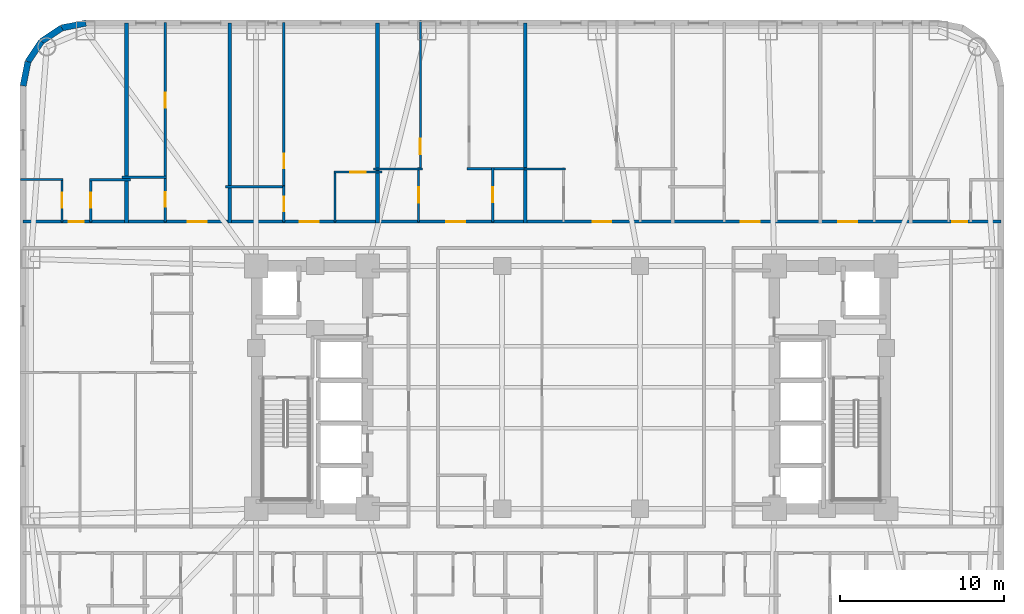
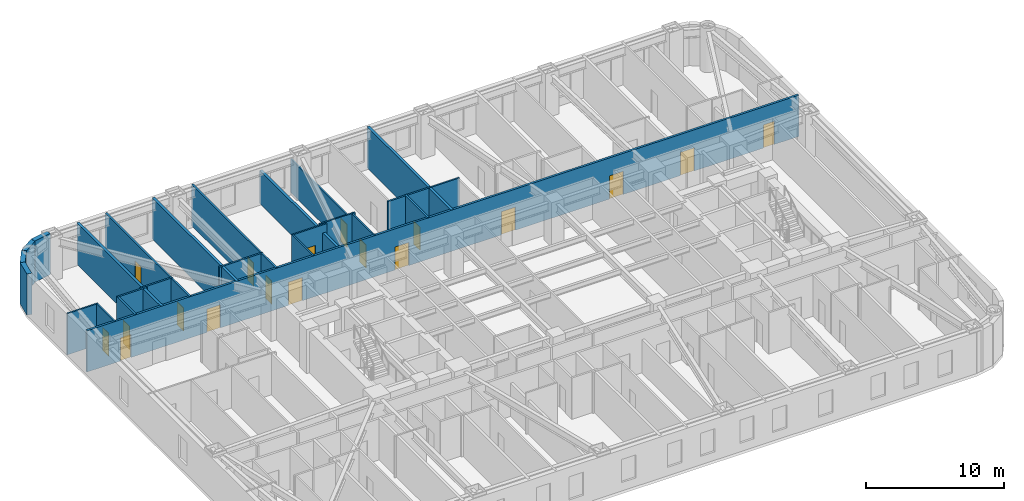
# One storey, part 7 of 11: 27 walls, 18 doors, 18 openings.
"""IFC4 building model written with IfcOpenShell, lengths in metres."""

from ifc_helpers import new_model, si_unit, direction, frame, frame_2d, origin, place, context, subcontext, project, spatial, rectangle, extrude, material, layer, layer_set, type_object, element, fill, save


model = new_model("IFC4")

# Units and contexts
model_context = context("Model", 3, precision=1e-05, world=origin(), true_north=direction((0.0, 1.0)))
body_context = subcontext(model_context, "Body", "Model", "MODEL_VIEW")
ifc_project = project(units=[si_unit("LENGTHUNIT", "METRE"), si_unit("AREAUNIT", "SQUARE_METRE"), si_unit("VOLUMEUNIT", "CUBIC_METRE"), si_unit("PLANEANGLEUNIT", "RADIAN"), si_unit("MASSUNIT", "GRAM", prefix="KILO")], contexts=[model_context])

# Site, building, storey
site_placement = place(None, origin())
site = spatial("IfcSite", under=ifc_project, at=site_placement, CompositionType="ELEMENT")
building_placement = place(site_placement, origin())
building = spatial("IfcBuilding", under=site, at=building_placement, Name="Voryun Gate Residences", CompositionType="ELEMENT")
storey_placement = place(building_placement, frame((0.0, 0.0, 33.800048828125)))
storey = spatial("IfcBuildingStorey", under=building, at=storey_placement, Name="L07", CompositionType="ELEMENT", Elevation=33.800048828125)

# Wall, openings, doors
ifc_material_1 = material(Name="Gypsum acoustic fireboard")
ifc_layer_1 = layer(ifc_material_1, 0.179931640625, Name="W_CORR_RATED_180")
ifc_layer_set_1 = layer_set([ifc_layer_1], Name="Gypsum acoustic fireboard")
wall_type_1 = type_object("IfcWallType", Name="W_CORR_RATED_180", PredefinedType="PARTITIONING", material=ifc_layer_set_1)
wall_1_placement = place(storey_placement, frame((-33.409912109375, 10.10009765625, 0.0), z_axis=(0.0, 0.0, 1.0), x_axis=(1.0, 0.0, 0.0)))
wall_1 = element("IfcWall", 1, at=wall_1_placement, inside=storey, type_object=wall_type_1, Name="Partition wall WP-L07-NCORR", PredefinedType="PARTITIONING", context=body_context, shape_type="SweptSolid", body=[
    extrude(rectangle(XDim=59.619873046875, YDim=0.179931640625, at=frame_2d((29.81005859375, 0.0))), origin(), (0.0, 0.0, 1.0), 3.64990234375),
])
opening_1_placement = place(wall_1_placement, frame((2.793212890625, 0.0, 0.0)))
opening_1 = element("IfcOpeningElement", 2, at=opening_1_placement, cuts=wall_1, Name="Opening D-INT-2", PredefinedType="OPENING", context=body_context, shape_type="SweptSolid", body=[
    extrude(rectangle(XDim=0.89990234375, YDim=2.050048828125, at=frame_2d((0.449951171875, 1.02490234375))), frame((0.0, 0.099853515625, 0.0), z_axis=(0.0, -1.0, 0.0), x_axis=(1.0, 0.0, 0.0)), (0.0, 0.0, 1.0), 0.199951171875),
])
opening_2_placement = place(wall_1_placement, frame((10.037353515625, 0.0, 0.0)))
opening_2 = element("IfcOpeningElement", 3, at=opening_2_placement, cuts=wall_1, Name="Opening D-UNIT-1", PredefinedType="OPENING", context=body_context, shape_type="SweptSolid", body=[
    extrude(rectangle(XDim=1.14990234375, YDim=2.050048828125, at=frame_2d((0.574951171875, 1.02490234375))), frame((0.0, 0.099853515625, 0.0), z_axis=(0.0, -1.0, 0.0), x_axis=(1.0, 0.0, 0.0)), (0.0, 0.0, 1.0), 0.199951171875),
])
opening_3_placement = place(wall_1_placement, frame((16.881591796875, 0.0, 0.0)))
opening_3 = element("IfcOpeningElement", 4, at=opening_3_placement, cuts=wall_1, Name="Opening D-UNIT-1", PredefinedType="OPENING", context=body_context, shape_type="SweptSolid", body=[
    extrude(rectangle(XDim=1.14990234375, YDim=2.050048828125, at=frame_2d((0.574951171875, 1.02490234375))), frame((0.0, 0.099853515625, 0.0), z_axis=(0.0, -1.0, 0.0), x_axis=(1.0, 0.0, 0.0)), (0.0, 0.0, 1.0), 0.199951171875),
])
opening_4_placement = place(wall_1_placement, frame((25.80078125, 0.0, 0.0)))
opening_4 = element("IfcOpeningElement", 5, at=opening_4_placement, cuts=wall_1, Name="Opening D-UNIT-1", PredefinedType="OPENING", context=body_context, shape_type="SweptSolid", body=[
    extrude(rectangle(XDim=1.14990234375, YDim=2.050048828125, at=frame_2d((0.574951171875, 1.02490234375))), frame((0.0, 0.099853515625, 0.0), z_axis=(0.0, -1.0, 0.0), x_axis=(1.0, 0.0, 0.0)), (0.0, 0.0, 1.0), 0.199951171875),
])
opening_5_placement = place(wall_1_placement, frame((34.719970703125, 0.0, 0.0)))
opening_5 = element("IfcOpeningElement", 6, at=opening_5_placement, cuts=wall_1, Name="Opening D-UNIT-1", PredefinedType="OPENING", context=body_context, shape_type="SweptSolid", body=[
    extrude(rectangle(XDim=1.14990234375, YDim=2.050048828125, at=frame_2d((0.574951171875, 1.02490234375))), frame((0.0, 0.099853515625, 0.0), z_axis=(0.0, -1.0, 0.0), x_axis=(1.0, 0.0, 0.0)), (0.0, 0.0, 1.0), 0.199951171875),
])
opening_6_placement = place(wall_1_placement, frame((43.7705078125, 0.0, 0.0)))
opening_6 = element("IfcOpeningElement", 7, at=opening_6_placement, cuts=wall_1, Name="Opening D-UNIT-1", PredefinedType="OPENING", context=body_context, shape_type="SweptSolid", body=[
    extrude(rectangle(XDim=1.14990234375, YDim=2.050048828125, at=frame_2d((0.574951171875, 1.02490234375))), frame((0.0, 0.099853515625, 0.0), z_axis=(0.0, -1.0, 0.0), x_axis=(1.0, 0.0, 0.0)), (0.0, 0.0, 1.0), 0.199951171875),
])
opening_7_placement = place(wall_1_placement, frame((49.714599609375, 0.0, 0.0)))
opening_7 = element("IfcOpeningElement", 8, at=opening_7_placement, cuts=wall_1, Name="Opening D-UNIT-1", PredefinedType="OPENING", context=body_context, shape_type="SweptSolid", body=[
    extrude(rectangle(XDim=1.14990234375, YDim=2.050048828125, at=frame_2d((0.574951171875, 1.02490234375))), frame((0.0, 0.099853515625, 0.0), z_axis=(0.0, -1.0, 0.0), x_axis=(1.0, 0.0, 0.0)), (0.0, 0.0, 1.0), 0.199951171875),
])
opening_8_placement = place(wall_1_placement, frame((56.654052734375, 0.0, 0.0)))
opening_8 = element("IfcOpeningElement", 9, at=opening_8_placement, cuts=wall_1, Name="Opening D-INT-2", PredefinedType="OPENING", context=body_context, shape_type="SweptSolid", body=[
    extrude(rectangle(XDim=0.89990234375, YDim=2.050048828125, at=frame_2d((0.449951171875, 1.02490234375))), frame((0.0, 0.099853515625, 0.0), z_axis=(0.0, -1.0, 0.0), x_axis=(1.0, 0.0, 0.0)), (0.0, 0.0, 1.0), 0.199951171875),
])
ifc_material_2 = material(Name="Architectural oak veneer")
door_type_1 = type_object("IfcDoorType", Name="DR_INT_BATH_900", OperationType="NOTDEFINED", PredefinedType="DOOR", material=ifc_material_2)
door_1_placement = place(opening_1_placement, origin())
door_1 = element("IfcDoor", 10, at=door_1_placement, inside=storey, type_object=door_type_1, Name="Door DR-L07-NENT-1", OperationType="SINGLE_SWING_LEFT", OverallHeight=2.050048828125, OverallWidth=0.89990234375, PredefinedType="DOOR", context=body_context, shape_type="SweptSolid", body=[
    extrude(rectangle(XDim=0.89990234375, YDim=2.050048828125, at=frame_2d((0.449951171875, 1.02490234375))), frame((0.0, 0.02490234375, 0.0), z_axis=(0.0, -1.0, 0.0), x_axis=(1.0, 0.0, 0.0)), (0.0, 0.0, 1.0), 0.050048828125),
])
fill(opening_1, door_1)
door_2_placement = place(opening_8_placement, origin())
door_2 = element("IfcDoor", 11, at=door_2_placement, inside=storey, type_object=door_type_1, Name="Door DR-L07-NENT-8", OperationType="SINGLE_SWING_RIGHT", OverallHeight=2.050048828125, OverallWidth=0.89990234375, PredefinedType="DOOR", context=body_context, shape_type="SweptSolid", body=[
    extrude(rectangle(XDim=0.89990234375, YDim=2.050048828125, at=frame_2d((0.449951171875, 1.02490234375))), frame((0.0, 0.02490234375, 0.0), z_axis=(0.0, -1.0, 0.0), x_axis=(1.0, 0.0, 0.0)), (0.0, 0.0, 1.0), 0.050048828125),
])
fill(opening_8, door_2)
ifc_material_3 = material(Name="Armoured timber-clad fire door", Category="wood")
door_type_2 = type_object("IfcDoorType", Name="DR_UNIT_ENTRY_1150", OperationType="NOTDEFINED", PredefinedType="DOOR", material=ifc_material_3)
door_3_placement = place(opening_2_placement, origin())
door_3 = element("IfcDoor", 12, at=door_3_placement, inside=storey, type_object=door_type_2, Name="Door DR-L07-NENT-2", OperationType="SINGLE_SWING_RIGHT", OverallHeight=2.050048828125, OverallWidth=1.14990234375, PredefinedType="DOOR", context=body_context, shape_type="SweptSolid", body=[
    extrude(rectangle(XDim=1.14990234375, YDim=2.050048828125, at=frame_2d((0.574951171875, 1.02490234375))), frame((0.0, 0.02490234375, 0.0), z_axis=(0.0, -1.0, 0.0), x_axis=(1.0, 0.0, 0.0)), (0.0, 0.0, 1.0), 0.050048828125),
])
fill(opening_2, door_3)
door_4_placement = place(opening_3_placement, origin())
door_4 = element("IfcDoor", 13, at=door_4_placement, inside=storey, type_object=door_type_2, Name="Door DR-L07-NENT-3", OperationType="SINGLE_SWING_LEFT", OverallHeight=2.050048828125, OverallWidth=1.14990234375, PredefinedType="DOOR", context=body_context, shape_type="SweptSolid", body=[
    extrude(rectangle(XDim=1.14990234375, YDim=2.050048828125, at=frame_2d((0.574951171875, 1.02490234375))), frame((0.0, 0.02490234375, 0.0), z_axis=(0.0, -1.0, 0.0), x_axis=(1.0, 0.0, 0.0)), (0.0, 0.0, 1.0), 0.050048828125),
])
fill(opening_3, door_4)
door_5_placement = place(opening_4_placement, origin())
door_5 = element("IfcDoor", 14, at=door_5_placement, inside=storey, type_object=door_type_2, Name="Door DR-L07-NENT-4", OperationType="SINGLE_SWING_RIGHT", OverallHeight=2.050048828125, OverallWidth=1.14990234375, PredefinedType="DOOR", context=body_context, shape_type="SweptSolid", body=[
    extrude(rectangle(XDim=1.14990234375, YDim=2.050048828125, at=frame_2d((0.574951171875, 1.02490234375))), frame((0.0, 0.02490234375, 0.0), z_axis=(0.0, -1.0, 0.0), x_axis=(1.0, 0.0, 0.0)), (0.0, 0.0, 1.0), 0.050048828125),
])
fill(opening_4, door_5)
door_6_placement = place(opening_5_placement, origin())
door_6 = element("IfcDoor", 15, at=door_6_placement, inside=storey, type_object=door_type_2, Name="Door DR-L07-NENT-5", OperationType="SINGLE_SWING_LEFT", OverallHeight=2.050048828125, OverallWidth=1.14990234375, PredefinedType="DOOR", context=body_context, shape_type="SweptSolid", body=[
    extrude(rectangle(XDim=1.14990234375, YDim=2.050048828125, at=frame_2d((0.574951171875, 1.02490234375))), frame((0.0, 0.02490234375, 0.0), z_axis=(0.0, -1.0, 0.0), x_axis=(1.0, 0.0, 0.0)), (0.0, 0.0, 1.0), 0.050048828125),
])
fill(opening_5, door_6)
door_7_placement = place(opening_6_placement, origin())
door_7 = element("IfcDoor", 16, at=door_7_placement, inside=storey, type_object=door_type_2, Name="Door DR-L07-NENT-6", OperationType="SINGLE_SWING_RIGHT", OverallHeight=2.050048828125, OverallWidth=1.14990234375, PredefinedType="DOOR", context=body_context, shape_type="SweptSolid", body=[
    extrude(rectangle(XDim=1.14990234375, YDim=2.050048828125, at=frame_2d((0.574951171875, 1.02490234375))), frame((0.0, 0.02490234375, 0.0), z_axis=(0.0, -1.0, 0.0), x_axis=(1.0, 0.0, 0.0)), (0.0, 0.0, 1.0), 0.050048828125),
])
fill(opening_6, door_7)
door_8_placement = place(opening_7_placement, origin())
door_8 = element("IfcDoor", 17, at=door_8_placement, inside=storey, type_object=door_type_2, Name="Door DR-L07-NENT-7", OperationType="SINGLE_SWING_LEFT", OverallHeight=2.050048828125, OverallWidth=1.14990234375, PredefinedType="DOOR", context=body_context, shape_type="SweptSolid", body=[
    extrude(rectangle(XDim=1.14990234375, YDim=2.050048828125, at=frame_2d((0.574951171875, 1.02490234375))), frame((0.0, 0.02490234375, 0.0), z_axis=(0.0, -1.0, 0.0), x_axis=(1.0, 0.0, 0.0)), (0.0, 0.0, 1.0), 0.050048828125),
])
fill(opening_7, door_8)

# Walls
ifc_material_4 = material(Name="Granite masonry", Category="masonry")
ifc_layer_2 = layer(ifc_material_4, 0.3798828125, Name="W_EXT_GRANITE_380")
ifc_layer_set_2 = layer_set([ifc_layer_2], Name="Granite masonry")
wall_type_2 = type_object("IfcWallType", Name="W_EXT_GRANITE_380", PredefinedType="ELEMENTEDWALL", material=ifc_layer_set_2)
wall_2_placement = place(storey_placement, frame((-33.409912109375, 18.38134765625, 0.0), z_axis=(0.0, 0.0, 1.0), x_axis=(0.195086038585, 0.980786132421, 0.0)))
element("IfcWall", 18, at=wall_2_placement, inside=storey, type_object=wall_type_2, Name="Exterior wall WEXT-L07-07", PredefinedType="ELEMENTEDWALL", context=body_context, shape_type="SweptSolid", body=[
    extrude(rectangle(XDim=1.504150390625, YDim=0.3798828125, at=frame_2d((0.751953125, 0.0))), origin(), (0.0, 0.0, 1.0), 3.64990234375),
])
wall_3_placement = place(storey_placement, frame((-33.116455078125, 19.856689453125, 0.0), z_axis=(0.0, 0.0, 1.0), x_axis=(0.555572577804, 0.831468045563, 0.0)))
element("IfcWall", 19, at=wall_3_placement, inside=storey, type_object=wall_type_2, Name="Exterior wall WEXT-L07-08", PredefinedType="ELEMENTEDWALL", context=body_context, shape_type="SweptSolid", body=[
    extrude(rectangle(XDim=1.48486328125, YDim=0.3798828125, at=frame_2d((0.742431640625, 0.0))), origin(), (0.0, 0.0, 1.0), 3.64990234375),
])
wall_4_placement = place(storey_placement, frame((-32.29150390625, 21.09130859375, 0.0), z_axis=(0.0, 0.0, 1.0), x_axis=(0.831442848281, 0.555610286119, 0.0)))
element("IfcWall", 20, at=wall_4_placement, inside=storey, type_object=wall_type_2, Name="Exterior wall WEXT-L07-09", PredefinedType="ELEMENTEDWALL", context=body_context, shape_type="SweptSolid", body=[
    extrude(rectangle(XDim=1.485107421875, YDim=0.3798828125, at=frame_2d((0.74267578125, 0.0))), origin(), (0.0, 0.0, 1.0), 3.64990234375),
])
wall_5_placement = place(storey_placement, frame((-31.056640625, 21.91650390625, 0.0), z_axis=(0.0, 0.0, 1.0), x_axis=(0.980786132421, 0.195086038585, 0.0)))
element("IfcWall", 21, at=wall_5_placement, inside=storey, type_object=wall_type_2, Name="Exterior wall WEXT-L07-10", PredefinedType="ELEMENTEDWALL", context=body_context, shape_type="SweptSolid", body=[
    extrude(rectangle(XDim=1.504150390625, YDim=0.3798828125, at=frame_2d((0.751953125, 0.0))), origin(), (0.0, 0.0, 1.0), 3.64990234375),
])
ifc_material_5 = material(Name="Concrete C40/50", Category="concrete")
ifc_layer_3 = layer(ifc_material_5, 0.219970703125, Name="W_PARTY_ACOUSTIC_220")
ifc_layer_set_3 = layer_set([ifc_layer_3], Name="Concrete C40/50")
wall_type_3 = type_object("IfcWallType", Name="W_PARTY_ACOUSTIC_220", PredefinedType="PARTITIONING", material=ifc_layer_set_3)
for number, where, z_axis, x_axis, name in (
    (22, (-27.10888671875, 10.02001953125, 0.0), (0.0, 0.0, 1.0), (0.0, 1.0, 0.0), "Partition wall WP-L07-NPTY-1"),
    (23, (-20.800048828125, 10.02001953125, 0.0), (0.0, 0.0, 1.0), (0.0, 1.0, 0.0), "Partition wall WP-L07-NPTY-2"),
):
    element("IfcWall", number, at=place(storey_placement, frame(where, z_axis=z_axis, x_axis=x_axis)), inside=storey, type_object=wall_type_3, Name=name, PredefinedType="PARTITIONING", context=body_context, shape_type="SweptSolid", body=[
        extrude(rectangle(XDim=12.18994140625, YDim=0.219970703125, at=frame_2d((6.094970703125, 0.0))), origin(), (0.0, 0.0, 1.0), 3.64990234375),
    ])
wall_6_placement = place(storey_placement, frame((-11.800048828125, 10.02001953125, 0.0), z_axis=(0.0, 0.0, 1.0), x_axis=(0.0, 1.0, 0.0)))
element("IfcWall", 24, at=wall_6_placement, inside=storey, type_object=wall_type_3, Name="Partition wall WP-L07-NPTY-3", PredefinedType="PARTITIONING", context=body_context, shape_type="SweptSolid", body=[
    extrude(rectangle(XDim=12.18994140625, YDim=0.219970703125, at=frame_2d((6.094970703125, 0.0))), origin(), (0.0, 0.0, 1.0), 2.93994140625),
])
wall_7_placement = place(storey_placement, frame((-2.800048828125, 10.02001953125, 0.0), z_axis=(0.0, 0.0, 1.0), x_axis=(0.0, 1.0, 0.0)))
element("IfcWall", 25, at=wall_7_placement, inside=storey, type_object=wall_type_3, Name="Partition wall WP-L07-NPTY-4", PredefinedType="PARTITIONING", context=body_context, shape_type="SweptSolid", body=[
    extrude(rectangle(XDim=12.18994140625, YDim=0.219970703125, at=frame_2d((6.094970703125, 0.0))), origin(), (0.0, 0.0, 1.0), 3.64990234375),
])

# Wall, opening, door
ifc_material_6 = material(Name="Gypsum acoustic partition")
ifc_layer_4 = layer(ifc_material_6, 0.125, Name="W_UNIT_PART_125")
ifc_layer_set_4 = layer_set([ifc_layer_4], Name="Gypsum acoustic partition")
wall_type_4 = type_object("IfcWallType", Name="W_UNIT_PART_125", PredefinedType="PARTITIONING", material=ifc_layer_set_4)
wall_8_placement = place(storey_placement, frame((-31.04296875, 10.080078125, 0.0), z_axis=(0.0, 0.0, 1.0), x_axis=(0.0, 1.0, 0.0)))
wall_8 = element("IfcWall", 26, at=wall_8_placement, inside=storey, type_object=wall_type_4, Name="Partition wall WP-L07-N1-CVK", PredefinedType="PARTITIONING", context=body_context, shape_type="SweptSolid", body=[
    extrude(rectangle(XDim=2.64990234375, YDim=0.125, at=frame_2d((1.324951171875, 0.0))), origin(), (0.0, 0.0, 1.0), 3.64990234375),
])
opening_9_placement = place(wall_8_placement, frame((0.875, 0.0, 0.0)))
opening_9 = element("IfcOpeningElement", 27, at=opening_9_placement, cuts=wall_8, Name="Opening D-INT-2", PredefinedType="OPENING", context=body_context, shape_type="SweptSolid", body=[
    extrude(rectangle(XDim=0.89990234375, YDim=2.050048828125, at=frame_2d((0.449951171875, 1.02490234375))), frame((0.0, 0.072509765625, 0.0), z_axis=(0.0, -1.0, 0.0), x_axis=(1.0, 0.0, 0.0)), (0.0, 0.0, 1.0), 0.14501953125),
])
door_9_placement = place(opening_9_placement, origin())
door_9 = element("IfcDoor", 28, at=door_9_placement, inside=storey, type_object=door_type_1, Name="Door DR-L07-N1-DK", OperationType="SINGLE_SWING_LEFT", OverallHeight=2.050048828125, OverallWidth=0.89990234375, PredefinedType="DOOR", context=body_context, shape_type="SweptSolid", body=[
    extrude(rectangle(XDim=0.89990234375, YDim=2.050048828125, at=frame_2d((0.449951171875, 1.02490234375))), frame((0.0, 0.02490234375, 0.0), z_axis=(0.0, -1.0, 0.0), x_axis=(1.0, 0.0, 0.0)), (0.0, 0.0, 1.0), 0.050048828125),
])
fill(opening_9, door_9)

# Wall
wall_9_placement = place(storey_placement, frame((-33.56005859375, 12.669921875, 0.0), z_axis=(0.0, 0.0, 1.0), x_axis=(1.0, 0.0, 0.0)))
element("IfcWall", 29, at=wall_9_placement, inside=storey, type_object=wall_type_4, Name="Partition wall WP-L07-N1-CHK", PredefinedType="PARTITIONING", context=body_context, shape_type="SweptSolid", body=[
    extrude(rectangle(XDim=2.5771484375, YDim=0.125, at=frame_2d((1.28857421875, 0.0))), origin(), (0.0, 0.0, 1.0), 3.64990234375),
])

# Wall, opening, door
wall_10_placement = place(storey_placement, frame((-14.4619140625, 13.1201171875, 0.0), z_axis=(0.0, 0.0, 1.0), x_axis=(1.0, 0.0, 0.0)))
wall_10 = element("IfcWall", 30, at=wall_10_placement, inside=storey, type_object=wall_type_4, Name="Partition wall WP-L07-N3-KHY", PredefinedType="PARTITIONING", context=body_context, shape_type="SweptSolid", body=[
    extrude(rectangle(XDim=2.921875, YDim=0.125, at=frame_2d((1.4609375, 0.0))), origin(), (0.0, 0.0, 1.0), 3.64990234375),
])
opening_10_placement = place(wall_10_placement, frame((0.986083984375, 0.0, 0.0)))
opening_10 = element("IfcOpeningElement", 31, at=opening_10_placement, cuts=wall_10, Name="Opening D-INT-1", PredefinedType="OPENING", context=body_context, shape_type="SweptSolid", body=[
    extrude(rectangle(XDim=0.949951171875, YDim=2.050048828125, at=frame_2d((0.47509765625, 1.02490234375))), frame((0.0, 0.072509765625, 0.0), z_axis=(0.0, -1.0, 0.0), x_axis=(1.0, 0.0, 0.0)), (0.0, 0.0, 1.0), 0.14501953125),
])
ifc_material_7 = material(Name="Architectural oak veneer")
door_type_3 = type_object("IfcDoorType", Name="DR_INT_ROOM_950", OperationType="NOTDEFINED", PredefinedType="DOOR", material=ifc_material_7)
door_10_placement = place(opening_10_placement, origin())
door_10 = element("IfcDoor", 32, at=door_10_placement, inside=storey, type_object=door_type_3, Name="Door DR-L07-N3-DK", OperationType="SINGLE_SWING_LEFT", OverallHeight=2.050048828125, OverallWidth=0.949951171875, PredefinedType="DOOR", context=body_context, shape_type="SweptSolid", body=[
    extrude(rectangle(XDim=0.949951171875, YDim=2.050048828125, at=frame_2d((0.47509765625, 1.02490234375))), frame((0.0, 0.02490234375, 0.0), z_axis=(0.0, -1.0, 0.0), x_axis=(1.0, 0.0, 0.0)), (0.0, 0.0, 1.0), 0.050048828125),
])
fill(opening_10, door_10)

# Wall
wall_11_placement = place(storey_placement, frame((-14.402099609375, 10.080078125, 0.0), z_axis=(0.0, 0.0, 1.0), x_axis=(0.0, 1.0, 0.0)))
element("IfcWall", 33, at=wall_11_placement, inside=storey, type_object=wall_type_4, Name="Partition wall WP-L07-N3-KVX", PredefinedType="PARTITIONING", context=body_context, shape_type="SweptSolid", body=[
    extrude(rectangle(XDim=3.099853515625, YDim=0.125, at=frame_2d((1.5498046875, 0.0))), origin(), (0.0, 0.0, 1.0), 3.64990234375),
])

# Wall, opening, door
wall_12_placement = place(storey_placement, frame((-9.18994140625, 13.239990234375, 0.0), z_axis=(0.0, 0.0, 1.0), x_axis=(0.0, 1.0, 0.0)))
wall_12 = element("IfcWall", 34, at=wall_12_placement, inside=storey, type_object=wall_type_4, Name="Partition wall WP-L07-N4-OVL", PredefinedType="PARTITIONING", context=body_context, shape_type="SweptSolid", body=[
    extrude(rectangle(XDim=9.1201171875, YDim=0.125, at=frame_2d((4.56005859375, 0.0))), origin(), (0.0, 0.0, 1.0), 2.93994140625),
])
opening_11_placement = place(wall_12_placement, frame((0.984130859375, 0.0, 0.0)))
opening_11 = element("IfcOpeningElement", 35, at=opening_11_placement, cuts=wall_12, Name="Opening D-INT-1", PredefinedType="OPENING", context=body_context, shape_type="SweptSolid", body=[
    extrude(rectangle(XDim=0.949951171875, YDim=2.050048828125, at=frame_2d((0.47509765625, 1.02490234375))), frame((0.0, 0.072509765625, 0.0), z_axis=(0.0, -1.0, 0.0), x_axis=(1.0, 0.0, 0.0)), (0.0, 0.0, 1.0), 0.14501953125),
])
door_11_placement = place(opening_11_placement, origin())
door_11 = element("IfcDoor", 36, at=door_11_placement, inside=storey, type_object=door_type_3, Name="Door DR-L07-N4-DB2", OperationType="SINGLE_SWING_LEFT", OverallHeight=2.050048828125, OverallWidth=0.949951171875, PredefinedType="DOOR", context=body_context, shape_type="SweptSolid", body=[
    extrude(rectangle(XDim=0.949951171875, YDim=2.050048828125, at=frame_2d((0.47509765625, 1.02490234375))), frame((0.0, 0.02490234375, 0.0), z_axis=(0.0, -1.0, 0.0), x_axis=(1.0, 0.0, 0.0)), (0.0, 0.0, 1.0), 0.050048828125),
])
fill(opening_11, door_11)

wall_13_placement = place(storey_placement, frame((-9.2890625, 10.080078125, 0.0), z_axis=(0.0, 0.0, 1.0), x_axis=(0.0, 1.0, 0.0)))
wall_13 = element("IfcWall", 37, at=wall_13_placement, inside=storey, type_object=wall_type_4, Name="Partition wall WP-L07-N4-IVK", PredefinedType="PARTITIONING", context=body_context, shape_type="SweptSolid", body=[
    extrude(rectangle(XDim=3.31982421875, YDim=0.125, at=frame_2d((1.659912109375, 0.0))), origin(), (0.0, 0.0, 1.0), 3.64990234375),
])
opening_12_placement = place(wall_13_placement, frame((1.18505859375, 0.0, 0.0)))
opening_12 = element("IfcOpeningElement", 38, at=opening_12_placement, cuts=wall_13, Name="Opening D-INT-1", PredefinedType="OPENING", context=body_context, shape_type="SweptSolid", body=[
    extrude(rectangle(XDim=0.949951171875, YDim=2.050048828125, at=frame_2d((0.47509765625, 1.02490234375))), frame((0.0, 0.072509765625, 0.0), z_axis=(0.0, -1.0, 0.0), x_axis=(1.0, 0.0, 0.0)), (0.0, 0.0, 1.0), 0.14501953125),
])
door_12_placement = place(opening_12_placement, origin())
door_12 = element("IfcDoor", 39, at=door_12_placement, inside=storey, type_object=door_type_3, Name="Door DR-L07-N4-DK", OperationType="SINGLE_SWING_LEFT", OverallHeight=2.050048828125, OverallWidth=0.949951171875, PredefinedType="DOOR", context=body_context, shape_type="SweptSolid", body=[
    extrude(rectangle(XDim=0.949951171875, YDim=2.050048828125, at=frame_2d((0.47509765625, 1.02490234375))), frame((0.0, 0.02490234375, 0.0), z_axis=(0.0, -1.0, 0.0), x_axis=(1.0, 0.0, 0.0)), (0.0, 0.0, 1.0), 0.050048828125),
])
fill(opening_12, door_12)

# Walls
wall_14_placement = place(storey_placement, frame((-12.06005859375, 13.320068359375, 0.0), z_axis=(0.0, 0.0, 1.0), x_axis=(1.0, 0.0, 0.0)))
element("IfcWall", 40, at=wall_14_placement, inside=storey, type_object=wall_type_4, Name="Partition wall WP-L07-N4-HZK", PredefinedType="PARTITIONING", context=body_context, shape_type="SweptSolid", body=[
    extrude(rectangle(XDim=2.989990234375, YDim=0.125, at=frame_2d((1.4951171875, 0.0))), origin(), (0.0, 0.0, 1.0), 3.64990234375),
])
wall_15_placement = place(storey_placement, frame((-2.875, 13.320068359375, 0.0), z_axis=(0.0, 0.0, 1.0), x_axis=(1.0, 0.0, 0.0)))
element("IfcWall", 41, at=wall_15_placement, inside=storey, type_object=wall_type_4, Name="Partition wall WP-L07-N5-HZK", PredefinedType="PARTITIONING", context=body_context, shape_type="SweptSolid", body=[
    extrude(rectangle(XDim=2.5458984375, YDim=0.125, at=frame_2d((1.27294921875, 0.0))), origin(), (0.0, 0.0, 1.0), 3.64990234375),
])

# Wall, opening, door
ifc_material_8 = material(Name="Gypsum moisture-resistant partition")
ifc_layer_5 = layer(ifc_material_8, 0.14990234375, Name="W_WET_PLUMB_150")
ifc_layer_set_5 = layer_set([ifc_layer_5], Name="Gypsum moisture-resistant partition")
wall_type_5 = type_object("IfcWallType", Name="W_WET_PLUMB_150", PredefinedType="PLUMBINGWALL", material=ifc_layer_set_5)
wall_16_placement = place(storey_placement, frame((-29.2939453125, 10.080078125, 0.0), z_axis=(0.0, 0.0, 1.0), x_axis=(0.0, 1.0, 0.0)))
wall_16 = element("IfcWall", 42, at=wall_16_placement, inside=storey, type_object=wall_type_5, Name="Partition wall WP-L07-N1-CVB", PredefinedType="PLUMBINGWALL", context=body_context, shape_type="SweptSolid", body=[
    extrude(rectangle(XDim=2.64990234375, YDim=0.14990234375, at=frame_2d((1.324951171875, 0.0))), origin(), (0.0, 0.0, 1.0), 3.64990234375),
])
opening_13_placement = place(wall_16_placement, frame((0.875, 0.0, 0.0)))
opening_13 = element("IfcOpeningElement", 43, at=opening_13_placement, cuts=wall_16, Name="Opening D-INT-2", PredefinedType="OPENING", context=body_context, shape_type="SweptSolid", body=[
    extrude(rectangle(XDim=0.89990234375, YDim=2.050048828125, at=frame_2d((0.449951171875, 1.02490234375))), frame((0.0, 0.0849609375, 0.0), z_axis=(0.0, -1.0, 0.0), x_axis=(1.0, 0.0, 0.0)), (0.0, 0.0, 1.0), 0.169921875),
])
door_13_placement = place(opening_13_placement, origin())
door_13 = element("IfcDoor", 44, at=door_13_placement, inside=storey, type_object=door_type_1, Name="Door DR-L07-N1-DB", OperationType="SINGLE_SWING_RIGHT", OverallHeight=2.050048828125, OverallWidth=0.89990234375, PredefinedType="DOOR", context=body_context, shape_type="SweptSolid", body=[
    extrude(rectangle(XDim=0.89990234375, YDim=2.050048828125, at=frame_2d((0.449951171875, 1.02490234375))), frame((0.0, 0.02490234375, 0.0), z_axis=(0.0, -1.0, 0.0), x_axis=(1.0, 0.0, 0.0)), (0.0, 0.0, 1.0), 0.050048828125),
])
fill(opening_13, door_13)

# Walls
wall_17_placement = place(storey_placement, frame((-29.35400390625, 12.669921875, 0.0), z_axis=(0.0, 0.0, 1.0), x_axis=(1.0, 0.0, 0.0)))
element("IfcWall", 45, at=wall_17_placement, inside=storey, type_object=wall_type_5, Name="Partition wall WP-L07-N1-CHB", PredefinedType="PLUMBINGWALL", context=body_context, shape_type="SweptSolid", body=[
    extrude(rectangle(XDim=2.5048828125, YDim=0.14990234375, at=frame_2d((1.25244140625, 0.0))), origin(), (0.0, 0.0, 1.0), 3.64990234375),
])
wall_18_placement = place(storey_placement, frame((-27.368896484375, 12.800048828125, 0.0), z_axis=(0.0, 0.0, 1.0), x_axis=(1.0, 0.0, 0.0)))
element("IfcWall", 46, at=wall_18_placement, inside=storey, type_object=wall_type_5, Name="Partition wall WP-L07-N2-SKB", PredefinedType="PLUMBINGWALL", context=body_context, shape_type="SweptSolid", body=[
    extrude(rectangle(XDim=2.7080078125, YDim=0.14990234375, at=frame_2d((1.35400390625, 0.0))), origin(), (0.0, 0.0, 1.0), 3.64990234375),
])

# Wall, opening, door
wall_19_placement = place(storey_placement, frame((-24.740966796875, 10.080078125, 0.0), z_axis=(0.0, 0.0, 1.0), x_axis=(0.0, 1.0, 0.0)))
wall_19 = element("IfcWall", 47, at=wall_19_placement, inside=storey, type_object=wall_type_5, Name="Partition wall WP-L07-N2-SVT1", PredefinedType="PLUMBINGWALL", context=body_context, shape_type="SweptSolid", body=[
    extrude(rectangle(XDim=2.760009765625, YDim=0.14990234375, at=frame_2d((1.3798828125, 0.0))), origin(), (0.0, 0.0, 1.0), 3.64990234375),
])
opening_14_placement = place(wall_19_placement, frame((0.929931640625, 0.0, 0.0)))
opening_14 = element("IfcOpeningElement", 48, at=opening_14_placement, cuts=wall_19, Name="Opening D-INT-2", PredefinedType="OPENING", context=body_context, shape_type="SweptSolid", body=[
    extrude(rectangle(XDim=0.89990234375, YDim=2.050048828125, at=frame_2d((0.449951171875, 1.02490234375))), frame((0.0, 0.0849609375, 0.0), z_axis=(0.0, -1.0, 0.0), x_axis=(1.0, 0.0, 0.0)), (0.0, 0.0, 1.0), 0.169921875),
])
door_14_placement = place(opening_14_placement, origin())
door_14 = element("IfcDoor", 49, at=door_14_placement, inside=storey, type_object=door_type_1, Name="Door DR-L07-N2-DB", OperationType="SINGLE_SWING_LEFT", OverallHeight=2.050048828125, OverallWidth=0.89990234375, PredefinedType="DOOR", context=body_context, shape_type="SweptSolid", body=[
    extrude(rectangle(XDim=0.89990234375, YDim=2.050048828125, at=frame_2d((0.449951171875, 1.02490234375))), frame((0.0, 0.02490234375, 0.0), z_axis=(0.0, -1.0, 0.0), x_axis=(1.0, 0.0, 0.0)), (0.0, 0.0, 1.0), 0.050048828125),
])
fill(opening_14, door_14)

wall_20_placement = place(storey_placement, frame((-24.740966796875, 12.760009765625, 0.0), z_axis=(0.0, 0.0, 1.0), x_axis=(0.0, 1.0, 0.0)))
wall_20 = element("IfcWall", 50, at=wall_20_placement, inside=storey, type_object=wall_type_5, Name="Partition wall WP-L07-N2-SVT2", PredefinedType="PLUMBINGWALL", context=body_context, shape_type="SweptSolid", body=[
    extrude(rectangle(XDim=9.49755859375, YDim=0.14990234375, at=frame_2d((4.748779296875, 0.0))), origin(), (0.0, 0.0, 1.0), 3.64990234375),
])
opening_15_placement = place(wall_20_placement, frame((4.298828125, 0.0, 0.0)))
opening_15 = element("IfcOpeningElement", 51, at=opening_15_placement, cuts=wall_20, Name="Opening D-INT-2", PredefinedType="OPENING", context=body_context, shape_type="SweptSolid", body=[
    extrude(rectangle(XDim=0.89990234375, YDim=2.050048828125, at=frame_2d((0.449951171875, 1.02490234375))), frame((0.0, 0.0849609375, 0.0), z_axis=(0.0, -1.0, 0.0), x_axis=(1.0, 0.0, 0.0)), (0.0, 0.0, 1.0), 0.169921875),
])
door_15_placement = place(opening_15_placement, origin())
door_15 = element("IfcDoor", 52, at=door_15_placement, inside=storey, type_object=door_type_1, Name="Door DR-L07-N2-DK", OperationType="SINGLE_SWING_RIGHT", OverallHeight=2.050048828125, OverallWidth=0.89990234375, PredefinedType="DOOR", context=body_context, shape_type="SweptSolid", body=[
    extrude(rectangle(XDim=0.89990234375, YDim=2.050048828125, at=frame_2d((0.449951171875, 1.02490234375))), frame((0.0, 0.02490234375, 0.0), z_axis=(0.0, -1.0, 0.0), x_axis=(1.0, 0.0, 0.0)), (0.0, 0.0, 1.0), 0.050048828125),
])
fill(opening_15, door_15)

# Wall
wall_21_placement = place(storey_placement, frame((-21.06005859375, 12.239990234375, 0.0), z_axis=(0.0, 0.0, 1.0), x_axis=(1.0, 0.0, 0.0)))
element("IfcWall", 53, at=wall_21_placement, inside=storey, type_object=wall_type_5, Name="Partition wall WP-L07-N3-LHY", PredefinedType="PLUMBINGWALL", context=body_context, shape_type="SweptSolid", body=[
    extrude(rectangle(XDim=3.632080078125, YDim=0.14990234375, at=frame_2d((1.81591796875, 0.0))), origin(), (0.0, 0.0, 1.0), 3.64990234375),
])

# Wall, opening, door
wall_22_placement = place(storey_placement, frame((-17.508056640625, 10.080078125, 0.0), z_axis=(0.0, 0.0, 1.0), x_axis=(0.0, 1.0, 0.0)))
wall_22 = element("IfcWall", 54, at=wall_22_placement, inside=storey, type_object=wall_type_5, Name="Partition wall WP-L07-N3-LVX1", PredefinedType="PLUMBINGWALL", context=body_context, shape_type="SweptSolid", body=[
    extrude(rectangle(XDim=2.199951171875, YDim=0.14990234375, at=frame_2d((1.10009765625, 0.0))), origin(), (0.0, 0.0, 1.0), 3.64990234375),
])
opening_16_placement = place(wall_22_placement, frame((0.64990234375, 0.0, 0.0)))
opening_16 = element("IfcOpeningElement", 55, at=opening_16_placement, cuts=wall_22, Name="Opening D-INT-2", PredefinedType="OPENING", context=body_context, shape_type="SweptSolid", body=[
    extrude(rectangle(XDim=0.89990234375, YDim=2.050048828125, at=frame_2d((0.449951171875, 1.02490234375))), frame((0.0, 0.0849609375, 0.0), z_axis=(0.0, -1.0, 0.0), x_axis=(1.0, 0.0, 0.0)), (0.0, 0.0, 1.0), 0.169921875),
])
door_16_placement = place(opening_16_placement, origin())
door_16 = element("IfcDoor", 56, at=door_16_placement, inside=storey, type_object=door_type_1, Name="Door DR-L07-N3-DB", OperationType="SINGLE_SWING_LEFT", OverallHeight=2.050048828125, OverallWidth=0.89990234375, PredefinedType="DOOR", context=body_context, shape_type="SweptSolid", body=[
    extrude(rectangle(XDim=0.89990234375, YDim=2.050048828125, at=frame_2d((0.449951171875, 1.02490234375))), frame((0.0, 0.02490234375, 0.0), z_axis=(0.0, -1.0, 0.0), x_axis=(1.0, 0.0, 0.0)), (0.0, 0.0, 1.0), 0.050048828125),
])
fill(opening_16, door_16)

wall_23_placement = place(storey_placement, frame((-17.508056640625, 12.199951171875, 0.0), z_axis=(0.0, 0.0, 1.0), x_axis=(0.0, 1.0, 0.0)))
wall_23 = element("IfcWall", 57, at=wall_23_placement, inside=storey, type_object=wall_type_5, Name="Partition wall WP-L07-N3-LVX2", PredefinedType="PLUMBINGWALL", context=body_context, shape_type="SweptSolid", body=[
    extrude(rectangle(XDim=10.0576171875, YDim=0.14990234375, at=frame_2d((5.02880859375, 0.0))), origin(), (0.0, 0.0, 1.0), 3.64990234375),
])
opening_17_placement = place(wall_23_placement, frame((1.1591796875, 0.0, 0.0)))
opening_17 = element("IfcOpeningElement", 58, at=opening_17_placement, cuts=wall_23, Name="Opening D-INT-2", PredefinedType="OPENING", context=body_context, shape_type="SweptSolid", body=[
    extrude(rectangle(XDim=0.89990234375, YDim=2.050048828125, at=frame_2d((0.449951171875, 1.02490234375))), frame((0.0, 0.0849609375, 0.0), z_axis=(0.0, -1.0, 0.0), x_axis=(1.0, 0.0, 0.0)), (0.0, 0.0, 1.0), 0.169921875),
])
door_17_placement = place(opening_17_placement, origin())
door_17 = element("IfcDoor", 59, at=door_17_placement, inside=storey, type_object=door_type_1, Name="Door DR-L07-N3-DMB", OperationType="SINGLE_SWING_RIGHT", OverallHeight=2.050048828125, OverallWidth=0.89990234375, PredefinedType="DOOR", context=body_context, shape_type="SweptSolid", body=[
    extrude(rectangle(XDim=0.89990234375, YDim=2.050048828125, at=frame_2d((0.449951171875, 1.02490234375))), frame((0.0, 0.02490234375, 0.0), z_axis=(0.0, -1.0, 0.0), x_axis=(1.0, 0.0, 0.0)), (0.0, 0.0, 1.0), 0.050048828125),
])
fill(opening_17, door_17)

# Wall
wall_24_placement = place(storey_placement, frame((-6.330078125, 13.320068359375, 0.0), z_axis=(0.0, 0.0, 1.0), x_axis=(1.0, 0.0, 0.0)))
element("IfcWall", 60, at=wall_24_placement, inside=storey, type_object=wall_type_5, Name="Partition wall WP-L07-N4-HZB", PredefinedType="PLUMBINGWALL", context=body_context, shape_type="SweptSolid", body=[
    extrude(rectangle(XDim=3.60498046875, YDim=0.14990234375, at=frame_2d((1.802490234375, 0.0))), origin(), (0.0, 0.0, 1.0), 3.64990234375),
])

# Wall, opening, door
wall_25_placement = place(storey_placement, frame((-4.780029296875, 10.080078125, 0.0), z_axis=(0.0, 0.0, 1.0), x_axis=(0.0, 1.0, 0.0)))
wall_25 = element("IfcWall", 61, at=wall_25_placement, inside=storey, type_object=wall_type_5, Name="Partition wall WP-L07-N4-IVB", PredefinedType="PLUMBINGWALL", context=body_context, shape_type="SweptSolid", body=[
    extrude(rectangle(XDim=3.31982421875, YDim=0.14990234375, at=frame_2d((1.659912109375, 0.0))), origin(), (0.0, 0.0, 1.0), 3.64990234375),
])
opening_18_placement = place(wall_25_placement, frame((1.2099609375, 0.0, 0.0)))
opening_18 = element("IfcOpeningElement", 62, at=opening_18_placement, cuts=wall_25, Name="Opening D-INT-2", PredefinedType="OPENING", context=body_context, shape_type="SweptSolid", body=[
    extrude(rectangle(XDim=0.89990234375, YDim=2.050048828125, at=frame_2d((0.449951171875, 1.02490234375))), frame((0.0, 0.0849609375, 0.0), z_axis=(0.0, -1.0, 0.0), x_axis=(1.0, 0.0, 0.0)), (0.0, 0.0, 1.0), 0.169921875),
])
door_18_placement = place(opening_18_placement, origin())
door_18 = element("IfcDoor", 63, at=door_18_placement, inside=storey, type_object=door_type_1, Name="Door DR-L07-N4-DB", OperationType="SINGLE_SWING_RIGHT", OverallHeight=2.050048828125, OverallWidth=0.89990234375, PredefinedType="DOOR", context=body_context, shape_type="SweptSolid", body=[
    extrude(rectangle(XDim=0.89990234375, YDim=2.050048828125, at=frame_2d((0.449951171875, 1.02490234375))), frame((0.0, 0.02490234375, 0.0), z_axis=(0.0, -1.0, 0.0), x_axis=(1.0, 0.0, 0.0)), (0.0, 0.0, 1.0), 0.050048828125),
])
fill(opening_18, door_18)

save(model, "model.ifc")
